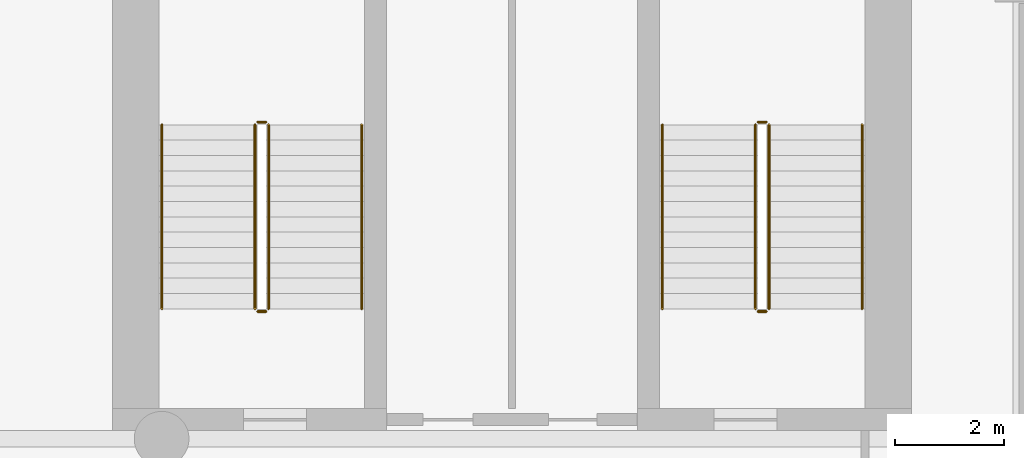
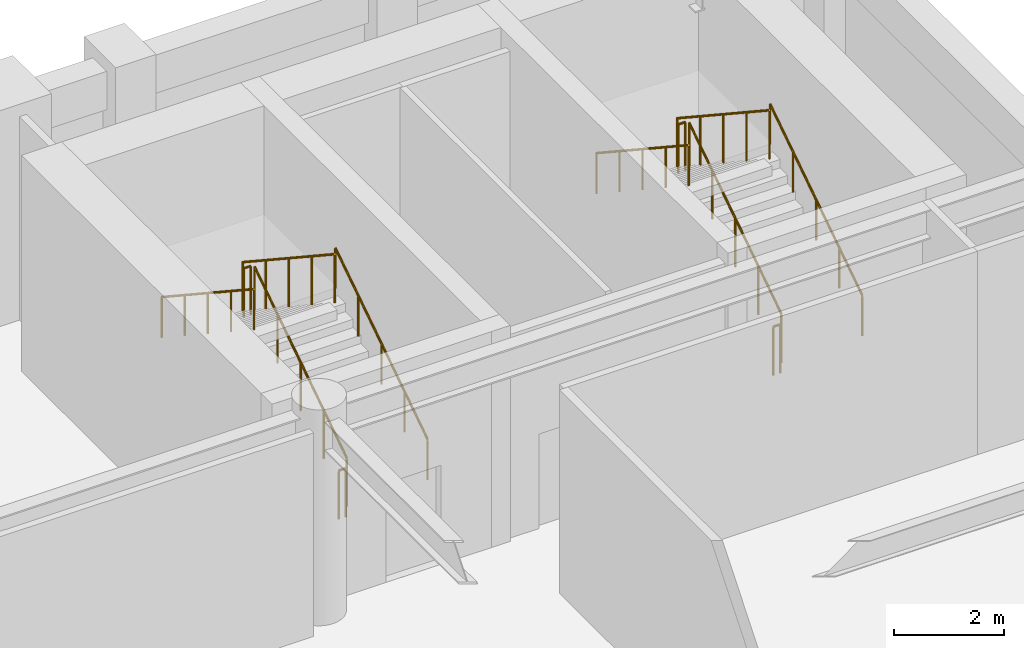
# One storey, part 10 of 10: 12 railings.
"""IFC4 building model written with IfcOpenShell, lengths in metres."""

from ifc_helpers import new_model, si_unit, direction, frame, origin, origin_2d, place, context, subcontext, project, spatial, circle, extrude, material, type_object, element, save


model = new_model("IFC4")

# Units and contexts
model_context = context("Model", 3, precision=1e-05, world=origin(), true_north=direction((0.0, 1.0)))
body_context = subcontext(model_context, "Body", "Model", "MODEL_VIEW")
ifc_project = project(units=[si_unit("LENGTHUNIT", "METRE"), si_unit("AREAUNIT", "SQUARE_METRE"), si_unit("VOLUMEUNIT", "CUBIC_METRE"), si_unit("PLANEANGLEUNIT", "RADIAN"), si_unit("MASSUNIT", "GRAM", prefix="KILO")], contexts=[model_context])

# Site, building, storey
site_placement = place(None, origin())
site = spatial("IfcSite", under=ifc_project, at=site_placement, CompositionType="ELEMENT")
building_placement = place(site_placement, origin())
building = spatial("IfcBuilding", under=site, at=building_placement, Name="Sulina Concourse Tower", CompositionType="ELEMENT")
storey_placement = place(building_placement, frame((0.0, 0.0, 87.800048828125)))
storey = spatial("IfcBuildingStorey", under=building, at=storey_placement, Name="L21", CompositionType="ELEMENT", Elevation=87.800048828125)

# Railings
ifc_material_1 = material(Name="Galvanised steel railing", Category="steel")
railing_type_1 = type_object("IfcRailingType", Name="Core Stair Steel Guardrail 1150mm", PredefinedType="GUARDRAIL", material=ifc_material_1)
railing_1_placement = place(storey_placement, frame((43.554931640625, 36.375, 0.1845703125)))
element("IfcRailing", 1, at=railing_1_placement, inside=storey, type_object=railing_type_1, Name="L21 ST-3 stair guard 1", PredefinedType="GUARDRAIL", context=body_context, shape_type="SweptSolid", body=[
    extrude(circle(Radius=0.02392578125, at=origin_2d()), frame((0.0, 0.0, 1.076171875), z_axis=(0.0, 0.834876476806, 0.550437342915), x_axis=(-1.0, 0.0, 0.0)), (0.0, 0.0, 1.0), 4.024658203125),
    extrude(circle(Radius=0.02099609375, at=origin_2d()), origin(), (0.0, 0.0, 1.0), 1.052001953125),
    extrude(circle(Radius=0.02099609375, at=origin_2d()), frame((0.0, 0.840087890625, 0.5537109375)), (0.0, 0.0, 1.0), 1.052001953125),
    extrude(circle(Radius=0.02099609375, at=origin_2d()), frame((0.0, 1.68017578125, 1.107666015625)), (0.0, 0.0, 1.0), 1.052001953125),
    extrude(circle(Radius=0.02099609375, at=origin_2d()), frame((0.0, 2.52001953125, 1.66162109375)), (0.0, 0.0, 1.0), 1.052001953125),
    extrude(circle(Radius=0.02099609375, at=origin_2d()), frame((0.0, 3.360107421875, 2.21533203125)), (0.0, 0.0, 1.0), 1.052001953125),
])
railing_2_placement = place(storey_placement, frame((43.5048828125, 39.784912109375, 2.39990234375)))
element("IfcRailing", 2, at=railing_2_placement, inside=storey, type_object=railing_type_1, Name="L21 ST-3 stair guard 2", PredefinedType="GUARDRAIL", context=body_context, shape_type="SweptSolid", body=[
    extrude(circle(Radius=0.02392578125, at=origin_2d()), frame((0.0, 0.0, 1.076171875), z_axis=(-1.0, 0.0, 0.0), x_axis=(0.0, -1.0, 0.0)), (0.0, 0.0, 1.0), 0.14990234375),
    extrude(circle(Radius=0.02099609375, at=origin_2d()), origin(), (0.0, 0.0, 1.0), 1.052001953125),
    extrude(circle(Radius=0.02099609375, at=origin_2d()), frame((-0.14990234375, 0.0, 0.0)), (0.0, 0.0, 1.0), 1.052001953125),
])
railing_3_placement = place(storey_placement, frame((43.304931640625, 39.735107421875, 2.58447265625)))
element("IfcRailing", 3, at=railing_3_placement, inside=storey, type_object=railing_type_1, Name="L21 ST-3 stair guard 3", PredefinedType="GUARDRAIL", context=body_context, shape_type="SweptSolid", body=[
    extrude(circle(Radius=0.02392578125, at=origin_2d()), frame((0.0, 0.0, 1.076171875), z_axis=(0.0, -0.834848600103, 0.550479622607), x_axis=(1.0, 0.0, 0.0)), (0.0, 0.0, 1.0), 4.02490234375),
    extrude(circle(Radius=0.02099609375, at=origin_2d()), origin(), (0.0, 0.0, 1.0), 1.052001953125),
    extrude(circle(Radius=0.02099609375, at=origin_2d()), frame((0.0, -0.840087890625, 0.553955078125)), (0.0, 0.0, 1.0), 1.052001953125),
    extrude(circle(Radius=0.02099609375, at=origin_2d()), frame((0.0, -1.68017578125, 1.10791015625)), (0.0, 0.0, 1.0), 1.052001953125),
    extrude(circle(Radius=0.02099609375, at=origin_2d()), frame((0.0, -2.52001953125, 1.66162109375)), (0.0, 0.0, 1.0), 1.052001953125),
    extrude(circle(Radius=0.02099609375, at=origin_2d()), frame((0.0, -3.360107421875, 2.215576171875)), (0.0, 0.0, 1.0), 1.052001953125),
])
railing_4_placement = place(storey_placement, frame((43.5048828125, 36.324951171875, 0.0)))
element("IfcRailing", 4, at=railing_4_placement, inside=storey, type_object=railing_type_1, Name="L21 ST-3 stair guard 4", PredefinedType="GUARDRAIL", context=body_context, shape_type="SweptSolid", body=[
    extrude(circle(Radius=0.02392578125, at=origin_2d()), frame((0.0, 0.0, 1.076171875), z_axis=(-1.0, 0.0, 0.0), x_axis=(0.0, -1.0, 0.0)), (0.0, 0.0, 1.0), 0.14990234375),
    extrude(circle(Radius=0.02099609375, at=origin_2d()), origin(), (0.0, 0.0, 1.0), 1.052001953125),
    extrude(circle(Radius=0.02099609375, at=origin_2d()), frame((-0.14990234375, 0.0, 0.0)), (0.0, 0.0, 1.0), 1.052001953125),
])
railing_5_placement = place(storey_placement, frame((52.695068359375, 36.375, 0.1845703125)))
element("IfcRailing", 5, at=railing_5_placement, inside=storey, type_object=railing_type_1, Name="L21 ST-4 stair guard 1", PredefinedType="GUARDRAIL", context=body_context, shape_type="SweptSolid", body=[
    extrude(circle(Radius=0.02392578125, at=origin_2d()), frame((0.0, 0.0, 1.076171875), z_axis=(0.0, 0.834876476806, 0.550437342915), x_axis=(-1.0, 0.0, 0.0)), (0.0, 0.0, 1.0), 4.024658203125),
    extrude(circle(Radius=0.02099609375, at=origin_2d()), origin(), (0.0, 0.0, 1.0), 1.052001953125),
    extrude(circle(Radius=0.02099609375, at=origin_2d()), frame((0.0, 0.840087890625, 0.5537109375)), (0.0, 0.0, 1.0), 1.052001953125),
    extrude(circle(Radius=0.02099609375, at=origin_2d()), frame((0.0, 1.68017578125, 1.107666015625)), (0.0, 0.0, 1.0), 1.052001953125),
    extrude(circle(Radius=0.02099609375, at=origin_2d()), frame((0.0, 2.52001953125, 1.66162109375)), (0.0, 0.0, 1.0), 1.052001953125),
    extrude(circle(Radius=0.02099609375, at=origin_2d()), frame((0.0, 3.360107421875, 2.21533203125)), (0.0, 0.0, 1.0), 1.052001953125),
])
railing_6_placement = place(storey_placement, frame((52.64501953125, 39.784912109375, 2.39990234375)))
element("IfcRailing", 6, at=railing_6_placement, inside=storey, type_object=railing_type_1, Name="L21 ST-4 stair guard 2", PredefinedType="GUARDRAIL", context=body_context, shape_type="SweptSolid", body=[
    extrude(circle(Radius=0.02392578125, at=origin_2d()), frame((0.0, 0.0, 1.076171875), z_axis=(-1.0, 0.0, 0.0), x_axis=(0.0, -1.0, 0.0)), (0.0, 0.0, 1.0), 0.14990234375),
    extrude(circle(Radius=0.02099609375, at=origin_2d()), origin(), (0.0, 0.0, 1.0), 1.052001953125),
    extrude(circle(Radius=0.02099609375, at=origin_2d()), frame((-0.14990234375, 0.0, 0.0)), (0.0, 0.0, 1.0), 1.052001953125),
])
railing_7_placement = place(storey_placement, frame((52.445068359375, 39.735107421875, 2.58447265625)))
element("IfcRailing", 7, at=railing_7_placement, inside=storey, type_object=railing_type_1, Name="L21 ST-4 stair guard 3", PredefinedType="GUARDRAIL", context=body_context, shape_type="SweptSolid", body=[
    extrude(circle(Radius=0.02392578125, at=origin_2d()), frame((0.0, 0.0, 1.076171875), z_axis=(0.0, -0.834848600103, 0.550479622607), x_axis=(1.0, 0.0, 0.0)), (0.0, 0.0, 1.0), 4.02490234375),
    extrude(circle(Radius=0.02099609375, at=origin_2d()), origin(), (0.0, 0.0, 1.0), 1.052001953125),
    extrude(circle(Radius=0.02099609375, at=origin_2d()), frame((0.0, -0.840087890625, 0.553955078125)), (0.0, 0.0, 1.0), 1.052001953125),
    extrude(circle(Radius=0.02099609375, at=origin_2d()), frame((0.0, -1.68017578125, 1.10791015625)), (0.0, 0.0, 1.0), 1.052001953125),
    extrude(circle(Radius=0.02099609375, at=origin_2d()), frame((0.0, -2.52001953125, 1.66162109375)), (0.0, 0.0, 1.0), 1.052001953125),
    extrude(circle(Radius=0.02099609375, at=origin_2d()), frame((0.0, -3.360107421875, 2.215576171875)), (0.0, 0.0, 1.0), 1.052001953125),
])
railing_8_placement = place(storey_placement, frame((52.64501953125, 36.324951171875, 0.0)))
element("IfcRailing", 8, at=railing_8_placement, inside=storey, type_object=railing_type_1, Name="L21 ST-4 stair guard 4", PredefinedType="GUARDRAIL", context=body_context, shape_type="SweptSolid", body=[
    extrude(circle(Radius=0.02392578125, at=origin_2d()), frame((0.0, 0.0, 1.076171875), z_axis=(-1.0, 0.0, 0.0), x_axis=(0.0, -1.0, 0.0)), (0.0, 0.0, 1.0), 0.14990234375),
    extrude(circle(Radius=0.02099609375, at=origin_2d()), origin(), (0.0, 0.0, 1.0), 1.052001953125),
    extrude(circle(Radius=0.02099609375, at=origin_2d()), frame((-0.14990234375, 0.0, 0.0)), (0.0, 0.0, 1.0), 1.052001953125),
])
ifc_material_2 = material(Name="Galvanised steel railing", Category="steel")
railing_type_2 = type_object("IfcRailingType", Name="Stair Wall Steel Handrail 920mm", PredefinedType="HANDRAIL", material=ifc_material_2)
railing_9_placement = place(storey_placement, frame((45.2548828125, 36.375, 0.1845703125)))
element("IfcRailing", 9, at=railing_9_placement, inside=storey, type_object=railing_type_2, Name="L21 ST-3 stair handrail 1", PredefinedType="HANDRAIL", context=body_context, shape_type="SweptSolid", body=[
    extrude(circle(Radius=0.02392578125, at=origin_2d()), frame((0.0, 0.0, 0.89599609375), z_axis=(0.0, 0.834876476806, 0.550437342915), x_axis=(-1.0, 0.0, 0.0)), (0.0, 0.0, 1.0), 4.024658203125),
    extrude(circle(Radius=0.02099609375, at=origin_2d()), origin(), (0.0, 0.0, 1.0), 0.871826171875),
    extrude(circle(Radius=0.02099609375, at=origin_2d()), frame((0.0, 0.840087890625, 0.5537109375)), (0.0, 0.0, 1.0), 0.871826171875),
    extrude(circle(Radius=0.02099609375, at=origin_2d()), frame((0.0, 1.68017578125, 1.107666015625)), (0.0, 0.0, 1.0), 0.871826171875),
    extrude(circle(Radius=0.02099609375, at=origin_2d()), frame((0.0, 2.52001953125, 1.66162109375)), (0.0, 0.0, 1.0), 0.871826171875),
    extrude(circle(Radius=0.02099609375, at=origin_2d()), frame((0.0, 3.360107421875, 2.21533203125)), (0.0, 0.0, 1.0), 0.871826171875),
])
railing_10_placement = place(storey_placement, frame((41.60498046875, 39.735107421875, 2.58447265625)))
element("IfcRailing", 10, at=railing_10_placement, inside=storey, type_object=railing_type_2, Name="L21 ST-3 stair handrail 2", PredefinedType="HANDRAIL", context=body_context, shape_type="SweptSolid", body=[
    extrude(circle(Radius=0.02392578125, at=origin_2d()), frame((0.0, 0.0, 0.89599609375), z_axis=(0.0, -0.834848600103, 0.550479622607), x_axis=(1.0, 0.0, 0.0)), (0.0, 0.0, 1.0), 4.02490234375),
    extrude(circle(Radius=0.02099609375, at=origin_2d()), origin(), (0.0, 0.0, 1.0), 0.871826171875),
    extrude(circle(Radius=0.02099609375, at=origin_2d()), frame((0.0, -0.840087890625, 0.553955078125)), (0.0, 0.0, 1.0), 0.871826171875),
    extrude(circle(Radius=0.02099609375, at=origin_2d()), frame((0.0, -1.68017578125, 1.10791015625)), (0.0, 0.0, 1.0), 0.871826171875),
    extrude(circle(Radius=0.02099609375, at=origin_2d()), frame((0.0, -2.52001953125, 1.66162109375)), (0.0, 0.0, 1.0), 0.871826171875),
    extrude(circle(Radius=0.02099609375, at=origin_2d()), frame((0.0, -3.360107421875, 2.215576171875)), (0.0, 0.0, 1.0), 0.871826171875),
])
railing_11_placement = place(storey_placement, frame((54.39501953125, 36.375, 0.1845703125)))
element("IfcRailing", 11, at=railing_11_placement, inside=storey, type_object=railing_type_2, Name="L21 ST-4 stair handrail 1", PredefinedType="HANDRAIL", context=body_context, shape_type="SweptSolid", body=[
    extrude(circle(Radius=0.02392578125, at=origin_2d()), frame((0.0, 0.0, 0.89599609375), z_axis=(0.0, 0.834876476806, 0.550437342915), x_axis=(-1.0, 0.0, 0.0)), (0.0, 0.0, 1.0), 4.024658203125),
    extrude(circle(Radius=0.02099609375, at=origin_2d()), origin(), (0.0, 0.0, 1.0), 0.871826171875),
    extrude(circle(Radius=0.02099609375, at=origin_2d()), frame((0.0, 0.840087890625, 0.5537109375)), (0.0, 0.0, 1.0), 0.871826171875),
    extrude(circle(Radius=0.02099609375, at=origin_2d()), frame((0.0, 1.68017578125, 1.107666015625)), (0.0, 0.0, 1.0), 0.871826171875),
    extrude(circle(Radius=0.02099609375, at=origin_2d()), frame((0.0, 2.52001953125, 1.66162109375)), (0.0, 0.0, 1.0), 0.871826171875),
    extrude(circle(Radius=0.02099609375, at=origin_2d()), frame((0.0, 3.360107421875, 2.21533203125)), (0.0, 0.0, 1.0), 0.871826171875),
])
railing_12_placement = place(storey_placement, frame((50.7451171875, 39.735107421875, 2.58447265625)))
element("IfcRailing", 12, at=railing_12_placement, inside=storey, type_object=railing_type_2, Name="L21 ST-4 stair handrail 2", PredefinedType="HANDRAIL", context=body_context, shape_type="SweptSolid", body=[
    extrude(circle(Radius=0.02392578125, at=origin_2d()), frame((0.0, 0.0, 0.89599609375), z_axis=(0.0, -0.834848600103, 0.550479622607), x_axis=(1.0, 0.0, 0.0)), (0.0, 0.0, 1.0), 4.02490234375),
    extrude(circle(Radius=0.02099609375, at=origin_2d()), origin(), (0.0, 0.0, 1.0), 0.871826171875),
    extrude(circle(Radius=0.02099609375, at=origin_2d()), frame((0.0, -0.840087890625, 0.553955078125)), (0.0, 0.0, 1.0), 0.871826171875),
    extrude(circle(Radius=0.02099609375, at=origin_2d()), frame((0.0, -1.68017578125, 1.10791015625)), (0.0, 0.0, 1.0), 0.871826171875),
    extrude(circle(Radius=0.02099609375, at=origin_2d()), frame((0.0, -2.52001953125, 1.66162109375)), (0.0, 0.0, 1.0), 0.871826171875),
    extrude(circle(Radius=0.02099609375, at=origin_2d()), frame((0.0, -3.360107421875, 2.215576171875)), (0.0, 0.0, 1.0), 0.871826171875),
])

save(model, "model.ifc")
